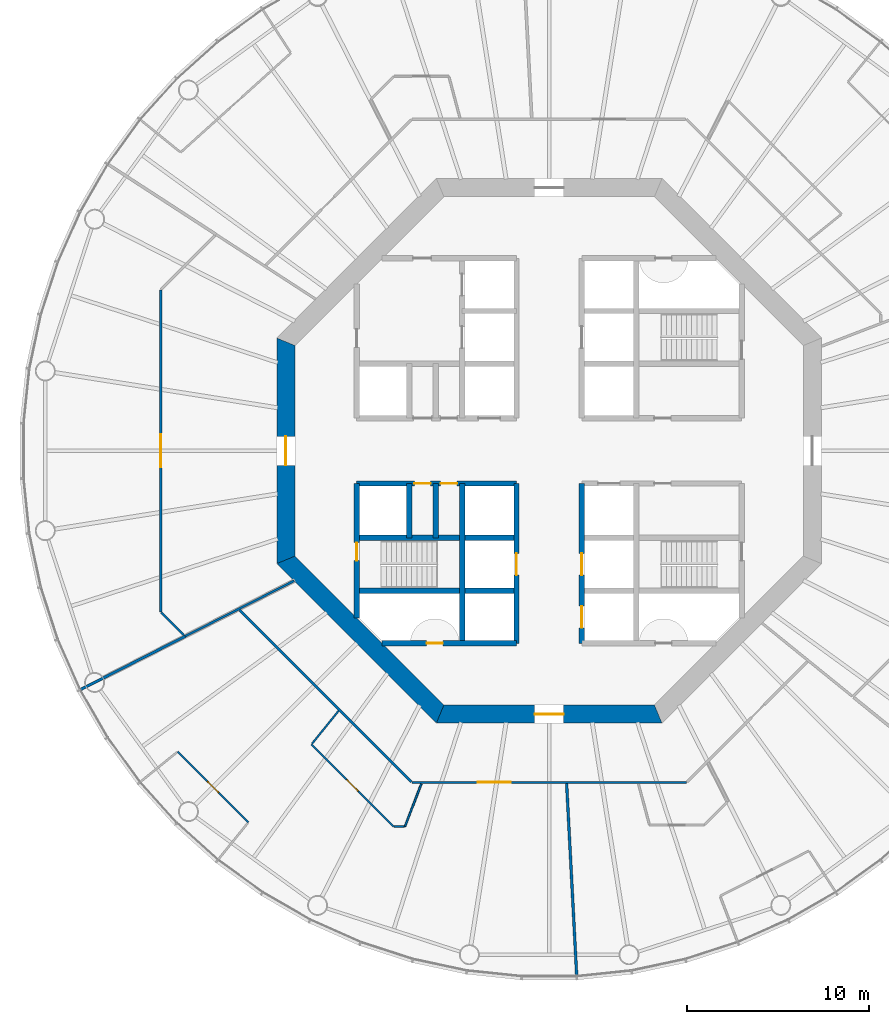
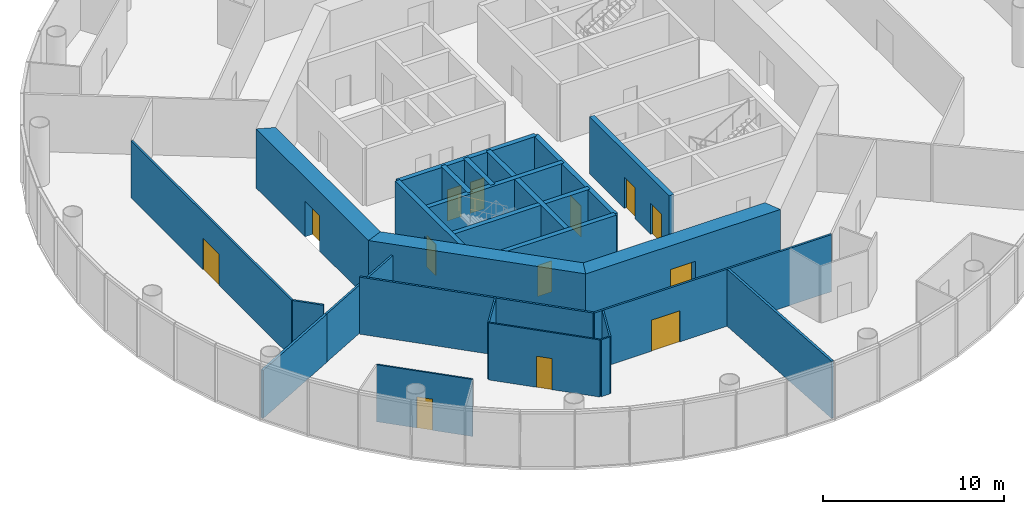
# One storey, part 3 of 13: 25 walls, 13 doors, 13 openings.
"""IFC4 building model written with IfcOpenShell, lengths in metres."""

from ifc_helpers import new_model, si_unit, direction, frame, frame_2d, origin, place, context, subcontext, project, spatial, polyline, rectangle, outline, extrude, material, layer, layer_set, type_object, element, fill, save


model = new_model("IFC4")

# Units and contexts
model_context = context("Model", 3, precision=1e-05, world=origin(), true_north=direction((0.0, 1.0)))
body_context = subcontext(model_context, "Body", "Model", "MODEL_VIEW")
ifc_project = project(units=[si_unit("LENGTHUNIT", "METRE"), si_unit("AREAUNIT", "SQUARE_METRE"), si_unit("VOLUMEUNIT", "CUBIC_METRE"), si_unit("PLANEANGLEUNIT", "RADIAN"), si_unit("MASSUNIT", "GRAM", prefix="KILO")], contexts=[model_context])

# Site, building, storey
site_placement = place(None, origin())
site = spatial("IfcSite", under=ifc_project, at=site_placement, CompositionType="ELEMENT")
building_placement = place(site_placement, origin())
building = spatial("IfcBuilding", under=site, at=building_placement, Name="Entoto Ring Tower", CompositionType="ELEMENT")
storey_placement = place(building_placement, frame((0.0, 0.0, 188.0)))
storey = spatial("IfcBuildingStorey", under=building, at=storey_placement, Name="L43", CompositionType="ELEMENT", Elevation=188.0)

# Wall, openings, doors
ifc_material_1 = material(Name="Concrete C40/50", Category="concrete")
ifc_layer_1 = layer(ifc_material_1, 0.300048828125)
ifc_layer_set_1 = layer_set([ifc_layer_1], Name="Concrete C40/50")
wall_type_1 = type_object("IfcWallType", Name="Core enclosure wall 300 mm reinforced concrete", PredefinedType="SOLIDWALL", material=ifc_layer_set_1)
wall_1_placement = place(storey_placement, frame((91.800048828125, 69.39990234375, 0.0), z_axis=(0.0, 0.0, 1.0), x_axis=(0.0, 1.0, 0.0)))
wall_1 = element("IfcWall", 1, at=wall_1_placement, inside=storey, type_object=wall_type_1, Name="wall-L43-005", PredefinedType="SOLIDWALL", context=body_context, shape_type="SweptSolid", body=[
    extrude(rectangle(XDim=8.800048828125, YDim=0.300048828125, at=frame_2d((4.39990234375, 0.0))), origin(), (0.0, 0.0, 1.0), 3.85009765625),
])
opening_1_placement = place(wall_1_placement, frame((3.75, 0.0, 0.0)))
opening_1 = element("IfcOpeningElement", 2, at=opening_1_placement, cuts=wall_1, Name="Opening LD", PredefinedType="OPENING", context=body_context, shape_type="SweptSolid", body=[
    extrude(rectangle(XDim=1.199951171875, YDim=2.10009765625, at=frame_2d((0.60009765625, 1.050048828125))), frame((0.0, 0.16015625, 0.0), z_axis=(0.0, -1.0, 0.0), x_axis=(1.0, 0.0, 0.0)), (0.0, 0.0, 1.0), 0.320068359375),
])
opening_2_placement = place(wall_1_placement, frame((0.85009765625, 0.0, 0.0)))
opening_2 = element("IfcOpeningElement", 3, at=opening_2_placement, cuts=wall_1, Name="Opening LD", PredefinedType="OPENING", context=body_context, shape_type="SweptSolid", body=[
    extrude(rectangle(XDim=1.199951171875, YDim=2.10009765625, at=frame_2d((0.60009765625, 1.050048828125))), frame((0.0, 0.16015625, 0.0), z_axis=(0.0, -1.0, 0.0), x_axis=(1.0, 0.0, 0.0)), (0.0, 0.0, 1.0), 0.320068359375),
])
ifc_material_2 = material(Name="Steel and glass door leaf", Category="steel")
ifc_layer_2 = layer(ifc_material_2, 0.050048828125)
ifc_layer_set_2 = layer_set([ifc_layer_2], Name="Steel and glass door leaf")
door_type_1 = type_object("IfcDoorType", Name="Landing door 1200 x 2100 sliding", OperationType="DOUBLE_DOOR_SLIDING", PredefinedType="DOOR", material=ifc_layer_set_2)
door_1_placement = place(opening_1_placement, origin())
door_1 = element("IfcDoor", 4, at=door_1_placement, inside=storey, type_object=door_type_1, Name="Landing door LB2-MR", OperationType="SLIDING_TO_RIGHT", OverallHeight=2.10009765625, OverallWidth=1.199951171875, PredefinedType="DOOR", context=body_context, shape_type="SweptSolid", body=[
    extrude(rectangle(XDim=1.199951171875, YDim=2.10009765625, at=frame_2d((0.60009765625, 1.050048828125))), frame((0.0, 0.02490234375, 0.0), z_axis=(0.0, -1.0, 0.0), x_axis=(1.0, 0.0, 0.0)), (0.0, 0.0, 1.0), 0.050048828125),
])
fill(opening_1, door_1)
door_2_placement = place(opening_2_placement, origin())
door_2 = element("IfcDoor", 5, at=door_2_placement, inside=storey, type_object=door_type_1, Name="Landing door LB3-MR", OperationType="SLIDING_TO_RIGHT", OverallHeight=2.10009765625, OverallWidth=1.199951171875, PredefinedType="DOOR", context=body_context, shape_type="SweptSolid", body=[
    extrude(rectangle(XDim=1.199951171875, YDim=2.10009765625, at=frame_2d((0.60009765625, 1.050048828125))), frame((0.0, 0.02490234375, 0.0), z_axis=(0.0, -1.0, 0.0), x_axis=(1.0, 0.0, 0.0)), (0.0, 0.0, 1.0), 0.050048828125),
])
fill(opening_2, door_2)

# Wall, opening, door
wall_2_placement = place(storey_placement, frame((88.199951171875, 69.39990234375, 0.0), z_axis=(0.0, 0.0, 1.0), x_axis=(0.0, 1.0, 0.0)))
wall_2 = element("IfcWall", 6, at=wall_2_placement, inside=storey, type_object=wall_type_1, Name="wall-L43-007", PredefinedType="SOLIDWALL", context=body_context, shape_type="SweptSolid", body=[
    extrude(rectangle(XDim=8.800048828125, YDim=0.300048828125, at=frame_2d((4.39990234375, 0.0))), origin(), (0.0, 0.0, 1.0), 3.85009765625),
])
opening_3_placement = place(wall_2_placement, frame((3.75, 0.0, 0.0)))
opening_3 = element("IfcOpeningElement", 7, at=opening_3_placement, cuts=wall_2, Name="Opening LD", PredefinedType="OPENING", context=body_context, shape_type="SweptSolid", body=[
    extrude(rectangle(XDim=1.199951171875, YDim=2.10009765625, at=frame_2d((0.60009765625, 1.050048828125))), frame((0.0, 0.16015625, 0.0), z_axis=(0.0, -1.0, 0.0), x_axis=(1.0, 0.0, 0.0)), (0.0, 0.0, 1.0), 0.320068359375),
])
door_3_placement = place(opening_3_placement, origin())
door_3 = element("IfcDoor", 8, at=door_3_placement, inside=storey, type_object=door_type_1, Name="Landing door LB4-MR", OperationType="SLIDING_TO_RIGHT", OverallHeight=2.10009765625, OverallWidth=1.199951171875, PredefinedType="DOOR", context=body_context, shape_type="SweptSolid", body=[
    extrude(rectangle(XDim=1.199951171875, YDim=2.10009765625, at=frame_2d((0.60009765625, 1.050048828125))), frame((0.0, 0.02490234375, 0.0), z_axis=(0.0, -1.0, 0.0), x_axis=(1.0, 0.0, 0.0)), (0.0, 0.0, 1.0), 0.050048828125),
])
fill(opening_3, door_3)

# Walls
wall_3_placement = place(storey_placement, frame((85.199951171875, 69.39990234375, 0.0), z_axis=(0.0, 0.0, 1.0), x_axis=(0.0, 1.0, 0.0)))
element("IfcWall", 9, at=wall_3_placement, inside=storey, type_object=wall_type_1, Name="wall-L43-009", PredefinedType="SOLIDWALL", context=body_context, shape_type="SweptSolid", body=[
    extrude(rectangle(XDim=8.800048828125, YDim=0.300048828125, at=frame_2d((4.39990234375, 0.0))), origin(), (0.0, 0.0, 1.0), 3.85009765625),
])
for number, where, z_axis, x_axis, name in (
    (10, (83.75, 75.199951171875, 0.0), (0.0, 0.0, 1.0), (0.0, 1.0, 0.0), "wall-L43-011"),
    (11, (82.300048828125, 75.199951171875, 0.0), (0.0, 0.0, 1.0), (0.0, 1.0, 0.0), "wall-L43-013"),
):
    element("IfcWall", number, at=place(storey_placement, frame(where, z_axis=z_axis, x_axis=x_axis)), inside=storey, type_object=wall_type_1, Name=name, PredefinedType="SOLIDWALL", context=body_context, shape_type="SweptSolid", body=[
        extrude(rectangle(XDim=3.0, YDim=0.300048828125, at=frame_2d((1.5, 0.0))), origin(), (0.0, 0.0, 1.0), 3.85009765625),
    ])

# Wall, opening, door
wall_4_placement = place(storey_placement, frame((79.39990234375, 70.801025390625, 0.0), z_axis=(0.0, 0.0, 1.0), x_axis=(0.0, 1.0, 0.0)))
wall_4 = element("IfcWall", 12, at=wall_4_placement, inside=storey, type_object=wall_type_1, Name="wall-L43-015", PredefinedType="SOLIDWALL", context=body_context, shape_type="SweptSolid", body=[
    extrude(rectangle(XDim=7.39892578125, YDim=0.300048828125, at=frame_2d((3.699462890625, 0.0))), origin(), (0.0, 0.0, 1.0), 3.85009765625),
])
opening_4_placement = place(wall_4_placement, frame((3.14892578125, 0.0, 0.0)))
opening_4 = element("IfcOpeningElement", 13, at=opening_4_placement, cuts=wall_4, Name="Opening K-59", PredefinedType="OPENING", context=body_context, shape_type="SweptSolid", body=[
    extrude(rectangle(XDim=1.0, YDim=2.10009765625, at=frame_2d((0.5, 1.050048828125))), frame((0.0, 0.16015625, 0.0), z_axis=(0.0, -1.0, 0.0), x_axis=(1.0, 0.0, 0.0)), (0.0, 0.0, 1.0), 0.320068359375),
])
ifc_material_3 = material(Name="Steel door leaf, fire rated", Category="steel")
ifc_layer_3 = layer(ifc_material_3, 0.050048828125)
ifc_layer_set_3 = layer_set([ifc_layer_3], Name="Steel door leaf, fire rated")
door_type_2 = type_object("IfcDoorType", Name="Fire door FD60 1000 x 2100 single leaf", OperationType="NOTDEFINED", PredefinedType="DOOR", material=ifc_layer_set_3)
door_4_placement = place(opening_4_placement, frame((1.0, 0.0, 0.0), z_axis=(0.0, 0.0, 1.0), x_axis=(-1.0, 0.0, 0.0)))
door_4 = element("IfcDoor", 14, at=door_4_placement, inside=storey, type_object=door_type_2, Name="Door K-59", OperationType="SINGLE_SWING_LEFT", OverallHeight=2.10009765625, OverallWidth=1.0, PredefinedType="DOOR", context=body_context, shape_type="SweptSolid", body=[
    extrude(rectangle(XDim=1.0, YDim=2.10009765625, at=frame_2d((0.5, 1.050048828125))), frame((0.0, 0.02490234375, 0.0), z_axis=(0.0, -1.0, 0.0), x_axis=(1.0, 0.0, 0.0)), (0.0, 0.0, 1.0), 0.050048828125),
])
fill(opening_4, door_4)

wall_5_placement = place(storey_placement, frame((80.801025390625, 69.39990234375, 0.0), z_axis=(0.0, 0.0, 1.0), x_axis=(1.0, 0.0, 0.0)))
wall_5 = element("IfcWall", 15, at=wall_5_placement, inside=storey, type_object=wall_type_1, Name="wall-L43-017", PredefinedType="SOLIDWALL", context=body_context, shape_type="SweptSolid", body=[
    extrude(rectangle(XDim=7.39892578125, YDim=0.300048828125, at=frame_2d((3.699462890625, 0.0))), origin(), (0.0, 0.0, 1.0), 3.85009765625),
])
opening_5_placement = place(wall_5_placement, frame((2.448974609375, 0.0, 0.0)))
opening_5 = element("IfcOpeningElement", 16, at=opening_5_placement, cuts=wall_5, Name="Opening K-66", PredefinedType="OPENING", context=body_context, shape_type="SweptSolid", body=[
    extrude(rectangle(XDim=0.89990234375, YDim=2.10009765625, at=frame_2d((0.449951171875, 1.050048828125))), frame((0.0, 0.16015625, 0.0), z_axis=(0.0, -1.0, 0.0), x_axis=(1.0, 0.0, 0.0)), (0.0, 0.0, 1.0), 0.320068359375),
])
ifc_material_4 = material(Name="Steel door leaf, fire rated", Category="steel")
ifc_layer_4 = layer(ifc_material_4, 0.050048828125)
ifc_layer_set_4 = layer_set([ifc_layer_4], Name="Steel door leaf, fire rated")
door_type_3 = type_object("IfcDoorType", Name="Riser door FD60 900 x 2100 single leaf", OperationType="NOTDEFINED", PredefinedType="DOOR", material=ifc_layer_set_4)
door_5_placement = place(opening_5_placement, origin())
door_5 = element("IfcDoor", 17, at=door_5_placement, inside=storey, type_object=door_type_3, Name="Door K-66", OperationType="SINGLE_SWING_RIGHT", OverallHeight=2.10009765625, OverallWidth=0.89990234375, PredefinedType="DOOR", context=body_context, shape_type="SweptSolid", body=[
    extrude(rectangle(XDim=0.89990234375, YDim=2.10009765625, at=frame_2d((0.449951171875, 1.050048828125))), frame((0.0, 0.02490234375, 0.0), z_axis=(0.0, -1.0, 0.0), x_axis=(1.0, 0.0, 0.0)), (0.0, 0.0, 1.0), 0.050048828125),
])
fill(opening_5, door_5)

# Walls
for number, where, z_axis, x_axis, name in (
    (18, (79.39990234375, 72.300048828125, 0.0), (0.0, 0.0, 1.0), (1.0, 0.0, 0.0), "wall-L43-019"),
    (19, (79.39990234375, 75.199951171875, 0.0), (0.0, 0.0, 1.0), (1.0, 0.0, 0.0), "wall-L43-021"),
):
    element("IfcWall", number, at=place(storey_placement, frame(where, z_axis=z_axis, x_axis=x_axis)), inside=storey, type_object=wall_type_1, Name=name, PredefinedType="SOLIDWALL", context=body_context, shape_type="SweptSolid", body=[
        extrude(rectangle(XDim=8.800048828125, YDim=0.300048828125, at=frame_2d((4.39990234375, 0.0))), origin(), (0.0, 0.0, 1.0), 3.85009765625),
    ])

# Wall, openings, doors
wall_6_placement = place(storey_placement, frame((79.39990234375, 78.199951171875, 0.0), z_axis=(0.0, 0.0, 1.0), x_axis=(1.0, 0.0, 0.0)))
wall_6 = element("IfcWall", 20, at=wall_6_placement, inside=storey, type_object=wall_type_1, Name="wall-L43-023", PredefinedType="SOLIDWALL", context=body_context, shape_type="SweptSolid", body=[
    extrude(rectangle(XDim=8.800048828125, YDim=0.300048828125, at=frame_2d((4.39990234375, 0.0))), origin(), (0.0, 0.0, 1.0), 3.85009765625),
])
opening_6_placement = place(wall_6_placement, frame((3.175048828125, 0.0, 0.0)))
opening_6 = element("IfcOpeningElement", 21, at=opening_6_placement, cuts=wall_6, Name="Opening K-15", PredefinedType="OPENING", context=body_context, shape_type="SweptSolid", body=[
    extrude(rectangle(XDim=0.89990234375, YDim=2.10009765625, at=frame_2d((0.449951171875, 1.050048828125))), frame((0.0, 0.16015625, 0.0), z_axis=(0.0, -1.0, 0.0), x_axis=(1.0, 0.0, 0.0)), (0.0, 0.0, 1.0), 0.320068359375),
])
opening_7_placement = place(wall_6_placement, frame((4.625, 0.0, 0.0)))
opening_7 = element("IfcOpeningElement", 22, at=opening_7_placement, cuts=wall_6, Name="Opening K-16", PredefinedType="OPENING", context=body_context, shape_type="SweptSolid", body=[
    extrude(rectangle(XDim=0.89990234375, YDim=2.10009765625, at=frame_2d((0.449951171875, 1.050048828125))), frame((0.0, 0.16015625, 0.0), z_axis=(0.0, -1.0, 0.0), x_axis=(1.0, 0.0, 0.0)), (0.0, 0.0, 1.0), 0.320068359375),
])
ifc_material_5 = material(Name="Steel door leaf, fire rated", Category="steel")
ifc_layer_5 = layer(ifc_material_5, 0.050048828125)
ifc_layer_set_5 = layer_set([ifc_layer_5], Name="Steel door leaf, fire rated")
door_type_4 = type_object("IfcDoorType", Name="Core door 900 x 2100 single leaf", OperationType="NOTDEFINED", PredefinedType="DOOR", material=ifc_layer_set_5)
door_6_placement = place(opening_6_placement, frame((0.89990234375, 0.0, 0.0), z_axis=(0.0, 0.0, 1.0), x_axis=(-1.0, 0.0, 0.0)))
door_6 = element("IfcDoor", 23, at=door_6_placement, inside=storey, type_object=door_type_4, Name="Door K-15", OperationType="SINGLE_SWING_LEFT", OverallHeight=2.10009765625, OverallWidth=0.89990234375, PredefinedType="DOOR", context=body_context, shape_type="SweptSolid", body=[
    extrude(rectangle(XDim=0.89990234375, YDim=2.10009765625, at=frame_2d((0.449951171875, 1.050048828125))), frame((0.0, 0.02490234375, 0.0), z_axis=(0.0, -1.0, 0.0), x_axis=(1.0, 0.0, 0.0)), (0.0, 0.0, 1.0), 0.050048828125),
])
fill(opening_6, door_6)
door_7_placement = place(opening_7_placement, frame((0.89990234375, 0.0, 0.0), z_axis=(0.0, 0.0, 1.0), x_axis=(-1.0, 0.0, 0.0)))
door_7 = element("IfcDoor", 24, at=door_7_placement, inside=storey, type_object=door_type_4, Name="Door K-16", OperationType="SINGLE_SWING_LEFT", OverallHeight=2.10009765625, OverallWidth=0.89990234375, PredefinedType="DOOR", context=body_context, shape_type="SweptSolid", body=[
    extrude(rectangle(XDim=0.89990234375, YDim=2.10009765625, at=frame_2d((0.449951171875, 1.050048828125))), frame((0.0, 0.02490234375, 0.0), z_axis=(0.0, -1.0, 0.0), x_axis=(1.0, 0.0, 0.0)), (0.0, 0.0, 1.0), 0.050048828125),
])
fill(opening_7, door_7)

# Wall, opening, door
ifc_material_6 = material(Name="Concrete C50/60", Category="concrete")
ifc_layer_6 = layer(ifc_material_6, 1.0)
ifc_layer_set_6 = layer_set([ifc_layer_6], Name="Concrete C50/60")
wall_type_2 = type_object("IfcWallType", Name="Core shear wall 1000 mm reinforced concrete C50/60", PredefinedType="SHEAR", material=ifc_layer_set_6)
wall_7_placement = place(storey_placement, frame((75.5, 86.006103515625, 0.0), z_axis=(0.0, 0.0, 1.0), x_axis=(0.0, -1.0, 0.0)))
wall_7 = element("IfcWall", 25, at=wall_7_placement, inside=storey, type_object=wall_type_2, Name="wall-L43-core-4", PredefinedType="SHEAR", context=body_context, shape_type="SweptSolid", body=[
    extrude(outline(polyline([(-0.20703125, -0.5), (12.21923828125, -0.5), (11.80517578125, 0.5), (0.20703125, 0.5), (-0.20703125, -0.5)])), origin(), (0.0, 0.0, 1.0), 4.0),
])
opening_8_placement = place(wall_7_placement, frame((5.2060546875, 0.0, 0.0)))
opening_8 = element("IfcOpeningElement", 26, at=opening_8_placement, cuts=wall_7, Name="Opening K-03", PredefinedType="OPENING", context=body_context, shape_type="SweptSolid", body=[
    extrude(rectangle(XDim=1.60009765625, YDim=2.39990234375, at=frame_2d((0.800048828125, 1.199951171875))), frame((0.0, 0.510009765625, 0.0), z_axis=(0.0, -1.0, 0.0), x_axis=(1.0, 0.0, 0.0)), (0.0, 0.0, 1.0), 1.02001953125),
])
ifc_material_7 = material(Name="Steel door leaf, fire rated", Category="steel")
ifc_layer_7 = layer(ifc_material_7, 0.050048828125)
ifc_layer_set_7 = layer_set([ifc_layer_7], Name="Steel door leaf, fire rated")
door_type_5 = type_object("IfcDoorType", Name="Entrance door FD60 1600 x 2400 double leaf", OperationType="DOUBLE_DOOR_SINGLE_SWING", PredefinedType="DOOR", material=ifc_layer_set_7)
door_8_placement = place(opening_8_placement, origin())
door_8 = element("IfcDoor", 27, at=door_8_placement, inside=storey, type_object=door_type_5, Name="Entrance door K-03", OperationType="DOUBLE_DOOR_SINGLE_SWING", OverallHeight=2.39990234375, OverallWidth=1.60009765625, PredefinedType="DOOR", context=body_context, shape_type="SweptSolid", body=[
    extrude(rectangle(XDim=1.60009765625, YDim=2.39990234375, at=frame_2d((0.800048828125, 1.199951171875))), frame((0.0, 0.02490234375, 0.0), z_axis=(0.0, -1.0, 0.0), x_axis=(1.0, 0.0, 0.0)), (0.0, 0.0, 1.0), 0.050048828125),
])
fill(opening_8, door_8)

# Wall
wall_8_placement = place(storey_placement, frame((75.5, 73.993896484375, 0.0), z_axis=(0.0, 0.0, 1.0), x_axis=(0.707106781187, -0.707106781187, 0.0)))
element("IfcWall", 28, at=wall_8_placement, inside=storey, type_object=wall_type_2, Name="wall-L43-core-5", PredefinedType="SHEAR", context=body_context, shape_type="SweptSolid", body=[
    extrude(outline(polyline([(-0.20703125, -0.5), (12.21923828125, -0.5), (11.80517578125, 0.5), (0.20703125, 0.5), (-0.20703125, -0.5)])), origin(), (0.0, 0.0, 1.0), 4.0),
])

# Wall, opening, door
wall_9_placement = place(storey_placement, frame((83.993896484375, 65.5, 0.0), z_axis=(0.0, 0.0, 1.0), x_axis=(1.0, 0.0, 0.0)))
wall_9 = element("IfcWall", 29, at=wall_9_placement, inside=storey, type_object=wall_type_2, Name="wall-L43-core-6", PredefinedType="SHEAR", context=body_context, shape_type="SweptSolid", body=[
    extrude(outline(polyline([(-0.20703125, -0.5), (12.21923828125, -0.5), (11.80517578125, 0.5), (0.20703125, 0.5), (-0.20703125, -0.5)])), origin(), (0.0, 0.0, 1.0), 4.0),
])
opening_9_placement = place(wall_9_placement, frame((5.2060546875, 0.0, 0.0)))
opening_9 = element("IfcOpeningElement", 30, at=opening_9_placement, cuts=wall_9, Name="Opening K-04", PredefinedType="OPENING", context=body_context, shape_type="SweptSolid", body=[
    extrude(rectangle(XDim=1.60009765625, YDim=2.39990234375, at=frame_2d((0.800048828125, 1.199951171875))), frame((0.0, 0.510009765625, 0.0), z_axis=(0.0, -1.0, 0.0), x_axis=(1.0, 0.0, 0.0)), (0.0, 0.0, 1.0), 1.02001953125),
])
door_9_placement = place(opening_9_placement, origin())
door_9 = element("IfcDoor", 31, at=door_9_placement, inside=storey, type_object=door_type_5, Name="Entrance door K-04", OperationType="DOUBLE_DOOR_SINGLE_SWING", OverallHeight=2.39990234375, OverallWidth=1.60009765625, PredefinedType="DOOR", context=body_context, shape_type="SweptSolid", body=[
    extrude(rectangle(XDim=1.60009765625, YDim=2.39990234375, at=frame_2d((0.800048828125, 1.199951171875))), frame((0.0, 0.02490234375, 0.0), z_axis=(0.0, -1.0, 0.0), x_axis=(1.0, 0.0, 0.0)), (0.0, 0.0, 1.0), 0.050048828125),
])
fill(opening_9, door_9)

ifc_material_8 = material(Name="Fire-resisting plasterboard on steel studs", Category="steel")
ifc_layer_8 = layer(ifc_material_8, 0.125)
ifc_layer_set_8 = layer_set([ifc_layer_8], Name="Fire-resisting plasterboard on steel studs")
wall_type_3 = type_object("IfcWallType", Name="Corridor wall 125 mm one-hour plasterboard on steel studs", PredefinedType="PARTITIONING", material=ifc_layer_set_8)
wall_10_placement = place(storey_placement, frame((68.60009765625, 71.1357421875, 0.0), z_axis=(0.0, 0.0, 1.0), x_axis=(0.0, 1.0, 0.0)))
wall_10 = element("IfcWall", 32, at=wall_10_placement, inside=storey, type_object=wall_type_3, Name="partition-L43-001", PredefinedType="PARTITIONING", context=body_context, shape_type="SweptSolid", body=[
    extrude(rectangle(XDim=17.728515625, YDim=0.125, at=frame_2d((8.8642578125, 0.0))), origin(), (0.0, 0.0, 1.0), 3.85009765625),
])
opening_10_placement = place(wall_10_placement, frame((7.964111328125, 0.0, 0.0)))
opening_10 = element("IfcOpeningElement", 33, at=opening_10_placement, cuts=wall_10, Name="Opening A18-D02", PredefinedType="OPENING", context=body_context, shape_type="SweptSolid", body=[
    extrude(rectangle(XDim=1.800048828125, YDim=2.10009765625, at=frame_2d((0.89990234375, 1.050048828125))), frame((0.0, 0.072509765625, 0.0), z_axis=(0.0, -1.0, 0.0), x_axis=(1.0, 0.0, 0.0)), (0.0, 0.0, 1.0), 0.14501953125),
])
ifc_material_9 = material(Name="Fire-resisting timber door set", Category="wood")
door_type_6 = type_object("IfcDoorType", Name="Door 1800 x 2100 double leaf FD30S fire door", OperationType="DOUBLE_DOOR_SINGLE_SWING", PredefinedType="DOOR", material=ifc_material_9)
door_10_placement = place(opening_10_placement, origin())
door_10 = element("IfcDoor", 34, at=door_10_placement, inside=storey, type_object=door_type_6, Name="Door A18-D02", OperationType="DOUBLE_DOOR_SINGLE_SWING", OverallHeight=2.10009765625, OverallWidth=1.800048828125, PredefinedType="DOOR", context=body_context, shape_type="SweptSolid", body=[
    extrude(rectangle(XDim=1.800048828125, YDim=2.10009765625, at=frame_2d((0.89990234375, 1.050048828125))), frame((0.0, 0.02490234375, 0.0), z_axis=(0.0, -1.0, 0.0), x_axis=(1.0, 0.0, 0.0)), (0.0, 0.0, 1.0), 0.050048828125),
])
fill(opening_10, door_10)

wall_11_placement = place(storey_placement, frame((82.435302734375, 61.737548828125, 0.0), z_axis=(0.0, 0.0, 1.0), x_axis=(1.0, 0.0, 0.0)))
wall_11 = element("IfcWall", 35, at=wall_11_placement, inside=storey, type_object=wall_type_3, Name="partition-L43-004", PredefinedType="PARTITIONING", context=body_context, shape_type="SweptSolid", body=[
    extrude(rectangle(XDim=15.12939453125, YDim=0.125, at=frame_2d((7.564697265625, 0.0))), origin(), (0.0, 0.0, 1.0), 3.85009765625),
])
opening_11_placement = place(wall_11_placement, frame((3.637939453125, 0.0, 0.0)))
opening_11 = element("IfcOpeningElement", 36, at=opening_11_placement, cuts=wall_11, Name="Opening A18-D09", PredefinedType="OPENING", context=body_context, shape_type="SweptSolid", body=[
    extrude(rectangle(XDim=1.800048828125, YDim=2.10009765625, at=frame_2d((0.89990234375, 1.050048828125))), frame((0.0, 0.072509765625, 0.0), z_axis=(0.0, -1.0, 0.0), x_axis=(1.0, 0.0, 0.0)), (0.0, 0.0, 1.0), 0.14501953125),
])
door_11_placement = place(opening_11_placement, frame((1.800048828125, 0.0, 0.0), z_axis=(0.0, 0.0, 1.0), x_axis=(-1.0, 0.0, 0.0)))
door_11 = element("IfcDoor", 37, at=door_11_placement, inside=storey, type_object=door_type_6, Name="Door A18-D09", OperationType="DOUBLE_DOOR_SINGLE_SWING", OverallHeight=2.10009765625, OverallWidth=1.800048828125, PredefinedType="DOOR", context=body_context, shape_type="SweptSolid", body=[
    extrude(rectangle(XDim=1.800048828125, YDim=2.10009765625, at=frame_2d((0.89990234375, 1.050048828125))), frame((0.0, 0.02490234375, 0.0), z_axis=(0.0, -1.0, 0.0), x_axis=(1.0, 0.0, 0.0)), (0.0, 0.0, 1.0), 0.050048828125),
])
fill(opening_11, door_11)

# Walls
wall_12_placement = place(storey_placement, frame((82.404296875, 61.7685546875, 0.0), z_axis=(0.0, 0.0, 1.0), x_axis=(-0.707097649982, 0.707115912273, 0.0)))
element("IfcWall", 38, at=wall_12_placement, inside=storey, type_object=wall_type_3, Name="partition-L43-006", PredefinedType="PARTITIONING", context=body_context, shape_type="SweptSolid", body=[
    extrude(rectangle(XDim=13.36865234375, YDim=0.125, at=frame_2d((6.684326171875, 0.0))), origin(), (0.0, 0.0, 1.0), 3.85009765625),
])
wall_13_placement = place(storey_placement, frame((69.881103515625, 69.8544921875, 0.0), z_axis=(0.0, 0.0, 1.0), x_axis=(-0.707037731162, 0.707175824469, 0.0)))
element("IfcWall", 39, at=wall_13_placement, inside=storey, type_object=wall_type_3, Name="partition-L43-015", PredefinedType="PARTITIONING", context=body_context, shape_type="SweptSolid", body=[
    extrude(rectangle(XDim=1.767822265625, YDim=0.125, at=frame_2d((0.8837890625, 0.0))), origin(), (0.0, 0.0, 1.0), 3.85009765625),
])
ifc_material_10 = material(Name="Fire-resisting plasterboard on steel studs", Category="steel")
ifc_layer_9 = layer(ifc_material_10, 0.125)
ifc_layer_set_9 = layer_set([ifc_layer_9], Name="Fire-resisting plasterboard on steel studs")
wall_type_4 = type_object("IfcWallType", Name="Corridor wall 125 mm one-hour plasterboard on steel studs, 3250 mm high", PredefinedType="PARTITIONING", material=ifc_layer_set_9)
wall_14_placement = place(storey_placement, frame((69.951171875, 69.78466796875, 0.0), z_axis=(0.0, 0.0, 1.0), x_axis=(0.891012915606, 0.453977955657, 0.0)))
element("IfcWall", 40, at=wall_14_placement, inside=storey, type_object=wall_type_4, Name="partition-L43-010", PredefinedType="PARTITIONING", context=body_context, shape_type="SweptSolid", body=[
    extrude(rectangle(XDim=6.729248046875, YDim=0.125, at=frame_2d((3.36474609375, 0.0))), origin(), (0.0, 0.0, 1.0), 3.25),
])

# Wall, opening, door
ifc_material_11 = material(Name="Plasterboard on steel studs", Category="steel")
ifc_layer_10 = layer(ifc_material_11, 0.10009765625)
ifc_layer_set_10 = layer_set([ifc_layer_10], Name="Plasterboard on steel studs")
wall_type_5 = type_object("IfcWallType", Name="Partition 100 mm plasterboard on steel studs", PredefinedType="PARTITIONING", material=ifc_layer_set_10)
wall_15_placement = place(storey_placement, frame((81.428955078125, 59.3076171875, 0.0), z_axis=(0.0, 0.0, 1.0), x_axis=(-0.707125865617, 0.707087696241, 0.0)))
wall_15 = element("IfcWall", 41, at=wall_15_placement, inside=storey, type_object=wall_type_5, Name="partition-L43-025", PredefinedType="PARTITIONING", context=body_context, shape_type="SweptSolid", body=[
    extrude(rectangle(XDim=6.396240234375, YDim=0.10009765625, at=frame_2d((3.1982421875, 0.0))), origin(), (0.0, 0.0, 1.0), 3.85009765625),
])
opening_12_placement = place(wall_15_placement, frame((2.748046875, 0.0, 0.0)))
opening_12 = element("IfcOpeningElement", 42, at=opening_12_placement, cuts=wall_15, Name="Opening A18-D10", PredefinedType="OPENING", context=body_context, shape_type="SweptSolid", body=[
    extrude(rectangle(XDim=0.89990234375, YDim=2.10009765625, at=frame_2d((0.449951171875, 1.050048828125))), frame((0.0, 0.06005859375, 0.0), z_axis=(0.0, -1.0, 0.0), x_axis=(1.0, 0.0, 0.0)), (0.0, 0.0, 1.0), 0.1201171875),
])
ifc_material_12 = material(Name="Veneered timber door leaf in timber frame", Category="wood")
door_type_7 = type_object("IfcDoorType", Name="Door 900 x 2100 single leaf timber veneer", OperationType="NOTDEFINED", PredefinedType="DOOR", material=ifc_material_12)
door_12_placement = place(opening_12_placement, frame((0.89990234375, 0.0, 0.0), z_axis=(0.0, 0.0, 1.0), x_axis=(-1.0, 0.0, 0.0)))
door_12 = element("IfcDoor", 43, at=door_12_placement, inside=storey, type_object=door_type_7, Name="Door A18-D10", OperationType="SINGLE_SWING_LEFT", OverallHeight=2.10009765625, OverallWidth=0.89990234375, PredefinedType="DOOR", context=body_context, shape_type="SweptSolid", body=[
    extrude(rectangle(XDim=0.89990234375, YDim=2.10009765625, at=frame_2d((0.449951171875, 1.050048828125))), frame((0.0, 0.02490234375, 0.0), z_axis=(0.0, -1.0, 0.0), x_axis=(1.0, 0.0, 0.0)), (0.0, 0.0, 1.0), 0.050048828125),
])
fill(opening_12, door_12)

wall_16_placement = place(storey_placement, frame((73.429931640625, 59.53759765625, 0.0), z_axis=(0.0, 0.0, 1.0), x_axis=(-0.707106781187, 0.707106781187, 0.0)))
wall_16 = element("IfcWall", 44, at=wall_16_placement, inside=storey, type_object=wall_type_5, Name="partition-L43-026", PredefinedType="PARTITIONING", context=body_context, shape_type="SweptSolid", body=[
    extrude(rectangle(XDim=5.504638671875, YDim=0.10009765625, at=frame_2d((2.75244140625, 0.0))), origin(), (0.0, 0.0, 1.0), 3.85009765625),
])
opening_13_placement = place(wall_16_placement, frame((2.30224609375, 0.0, 0.0)))
opening_13 = element("IfcOpeningElement", 45, at=opening_13_placement, cuts=wall_16, Name="Opening A18-D11", PredefinedType="OPENING", context=body_context, shape_type="SweptSolid", body=[
    extrude(rectangle(XDim=0.89990234375, YDim=2.10009765625, at=frame_2d((0.449951171875, 1.050048828125))), frame((0.0, 0.06005859375, 0.0), z_axis=(0.0, -1.0, 0.0), x_axis=(1.0, 0.0, 0.0)), (0.0, 0.0, 1.0), 0.1201171875),
])
door_13_placement = place(opening_13_placement, origin())
door_13 = element("IfcDoor", 46, at=door_13_placement, inside=storey, type_object=door_type_7, Name="Door A18-D11", OperationType="SINGLE_SWING_LEFT", OverallHeight=2.10009765625, OverallWidth=0.89990234375, PredefinedType="DOOR", context=body_context, shape_type="SweptSolid", body=[
    extrude(rectangle(XDim=0.89990234375, YDim=2.10009765625, at=frame_2d((0.449951171875, 1.050048828125))), frame((0.0, 0.02490234375, 0.0), z_axis=(0.0, -1.0, 0.0), x_axis=(1.0, 0.0, 0.0)), (0.0, 0.0, 1.0), 0.050048828125),
])
fill(opening_13, door_13)

# Walls
wall_17_placement = place(storey_placement, frame((82.056884765625, 59.3076171875, 0.0), z_axis=(0.0, 0.0, 1.0), x_axis=(0.358426498684, 0.933557949482, 0.0)))
element("IfcWall", 47, at=wall_17_placement, inside=storey, type_object=wall_type_5, Name="partition-L43-039", PredefinedType="PARTITIONING", context=body_context, shape_type="SweptSolid", body=[
    extrude(rectangle(XDim=2.516845703125, YDim=0.10009765625, at=frame_2d((1.25830078125, 0.0))), origin(), (0.0, 0.0, 1.0), 3.85009765625),
])
wall_18_placement = place(storey_placement, frame((76.937255859375, 63.868896484375, 0.0), z_axis=(0.0, 0.0, 1.0), x_axis=(0.629331093199, 0.777137294905, 0.0)))
element("IfcWall", 48, at=wall_18_placement, inside=storey, type_object=wall_type_5, Name="partition-L43-044", PredefinedType="PARTITIONING", context=body_context, shape_type="SweptSolid", body=[
    extrude(rectangle(XDim=2.32568359375, YDim=0.10009765625, at=frame_2d((1.162841796875, 0.0))), origin(), (0.0, 0.0, 1.0), 3.85009765625),
])
wall_19_placement = place(storey_placement, frame((81.464111328125, 59.3076171875, 0.0), z_axis=(0.0, 0.0, 1.0), x_axis=(1.0, 0.0, 0.0)))
element("IfcWall", 49, at=wall_19_placement, inside=storey, type_object=wall_type_5, Name="partition-L43-049", PredefinedType="PARTITIONING", context=body_context, shape_type="SweptSolid", body=[
    extrude(rectangle(XDim=0.54638671875, YDim=0.10009765625, at=frame_2d((0.273193359375, 0.0))), origin(), (0.0, 0.0, 1.0), 3.85009765625),
])
ifc_material_13 = material(Name="Fire-resisting acoustic plasterboard on steel studs", Category="steel")
ifc_layer_11 = layer(ifc_material_13, 0.14990234375)
ifc_layer_set_11 = layer_set([ifc_layer_11], Name="Fire-resisting acoustic plasterboard on steel studs")
wall_type_6 = type_object("IfcWallType", Name="Party wall 150 mm one-hour acoustic plasterboard on steel studs", PredefinedType="PARTITIONING", material=ifc_layer_set_11)
wall_20_placement = place(storey_placement, frame((91.5146484375, 51.099609375, 0.0), z_axis=(0.0, 0.0, 1.0), x_axis=(-0.052328843677, 0.998629907483, 0.0)))
element("IfcWall", 50, at=wall_20_placement, inside=storey, type_object=wall_type_6, Name="partition-L43-018", PredefinedType="PARTITIONING", context=body_context, shape_type="SweptSolid", body=[
    extrude(rectangle(XDim=10.5859375, YDim=0.14990234375, at=frame_2d((5.29296875, 0.0))), origin(), (0.0, 0.0, 1.0), 3.85009765625),
])
ifc_material_14 = material(Name="Fire-resisting acoustic plasterboard on steel studs", Category="steel")
ifc_layer_12 = layer(ifc_material_14, 0.14990234375)
ifc_layer_set_12 = layer_set([ifc_layer_12], Name="Fire-resisting acoustic plasterboard on steel studs")
wall_type_7 = type_object("IfcWallType", Name="Party wall 150 mm one-hour acoustic plasterboard on steel studs, 3250 mm high", PredefinedType="PARTITIONING", material=ifc_layer_set_12)
wall_21_placement = place(storey_placement, frame((64.21435546875, 66.861572265625, 0.0), z_axis=(0.0, 0.0, 1.0), x_axis=(0.891003901517, 0.453995646985, 0.0)))
element("IfcWall", 51, at=wall_21_placement, inside=storey, type_object=wall_type_7, Name="partition-L43-021", PredefinedType="PARTITIONING", context=body_context, shape_type="SweptSolid", body=[
    extrude(rectangle(XDim=6.4384765625, YDim=0.14990234375, at=frame_2d((3.21923828125, 0.0))), origin(), (0.0, 0.0, 1.0), 3.25),
])

save(model, "model.ifc")
